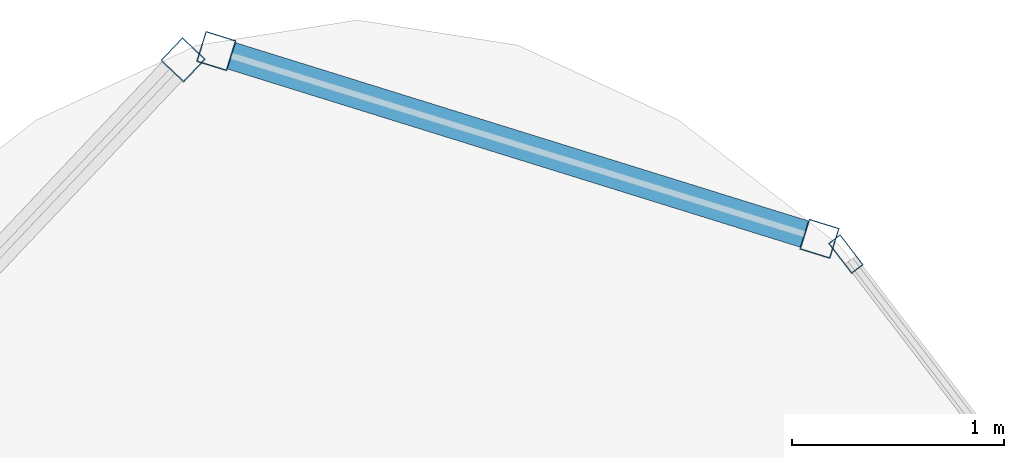
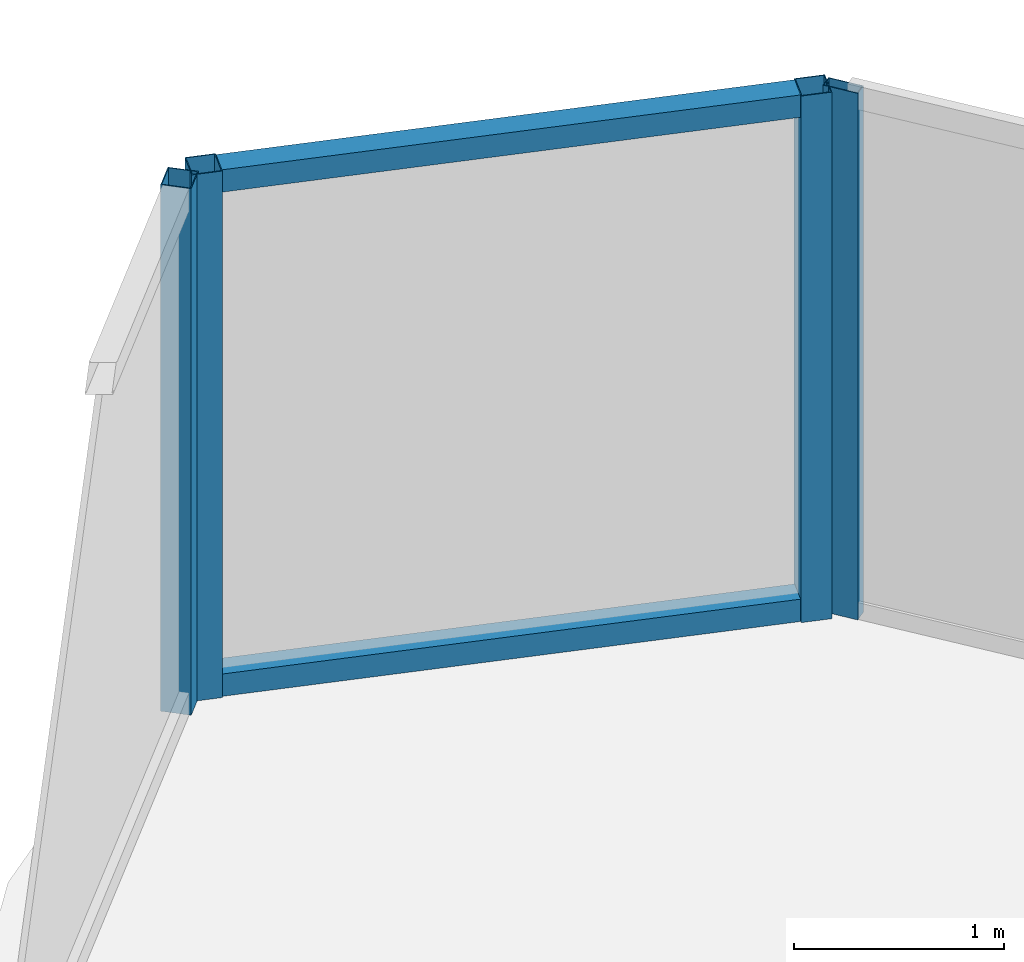
# One storey, part 21 of 31: 6 members, 3 elements without a shape of their own.
"""IFC4 building model written with IfcOpenShell, lengths in metres."""

from ifc_helpers import new_model, si_unit, direction, frame, origin, origin_2d, place, context, subcontext, project, spatial, hollow_rectangle, extrude, material, layer, layer_set, material_profile, profile_set, type_object, element, aggregate, save


model = new_model("IFC4")

# Units and contexts
model_context = context("Model", 3, precision=1e-05, world=origin(), true_north=direction((0.0, 1.0)))
body_context = subcontext(model_context, "Body", "Model", "MODEL_VIEW")
ifc_project = project(units=[si_unit("LENGTHUNIT", "METRE"), si_unit("AREAUNIT", "SQUARE_METRE"), si_unit("VOLUMEUNIT", "CUBIC_METRE"), si_unit("PLANEANGLEUNIT", "RADIAN"), si_unit("MASSUNIT", "GRAM", prefix="KILO")], contexts=[model_context])

# Site, building, storey
site_placement = place(None, origin())
site = spatial("IfcSite", under=ifc_project, at=site_placement, CompositionType="ELEMENT")
building_placement = place(site_placement, origin())
building = spatial("IfcBuilding", under=site, at=building_placement, Name="Orvanel Arch Residences", CompositionType="ELEMENT")
storey_placement = place(building_placement, frame((0.0, 0.0, 106.699951171875)))
storey = spatial("IfcBuildingStorey", under=building, at=storey_placement, Name="L29", CompositionType="ELEMENT", Elevation=106.699951171875)

# Curtain wall, members
ifc_material = material(Name="Bronze-anodised aluminium AA6063-T6", Category="aluminium")
ifc_layer_1 = layer(ifc_material, 0.18994140625)
ifc_layer_set_1 = layer_set([ifc_layer_1], Name="Bronze-anodised aluminium AA6063-T6")
curtain_wall_type_1 = type_object("IfcCurtainWallType", Name="CW5-CRN-SYS", PredefinedType="NOTDEFINED", material=ifc_layer_set_1)
curtain_wall_1_placement = place(storey_placement, origin())
curtain_wall_1 = element("IfcCurtainWall", 1, at=curtain_wall_1_placement, inside=storey, type_object=curtain_wall_type_1, Name="L29 CW5-CRN-SYS Unitised Curtain Wall", PredefinedType="NOTDEFINED")
ifc_material_profile_1 = material_profile(ifc_material, hollow_rectangle(XDim=0.14990234375, YDim=0.14990234375, WallThickness=0.0048828125, at=origin_2d()), Name="ALU150x150x5")
ifc_profile_set_1 = profile_set([ifc_material_profile_1], Name="Bronze-anodised aluminium AA6063-T6")
member_type_1 = type_object("IfcMemberType", Name="MUL-150x150", PredefinedType="MULLION", material=ifc_profile_set_1)
member_1_placement = place(storey_placement, frame((35.17529296875, 48.624267578125, 0.0), z_axis=(0.0, 0.0, 1.0), x_axis=(-0.297053581385, -0.954860811734, 0.0)))
member_1 = element("IfcMember", 2, at=member_1_placement, type_object=member_type_1, Name="CW-S5 mullion 1", PredefinedType="MULLION", context=body_context, shape_type="SweptSolid", body=[
    extrude(hollow_rectangle(XDim=0.14990234375, YDim=0.14990234375, WallThickness=0.0048828125, at=origin_2d()), origin(), (0.0, 0.0, 1.0), 3.06005859375),
])
member_2_placement = place(storey_placement, frame((32.335693359375, 49.5078125, 0.0), z_axis=(0.0, 0.0, 1.0), x_axis=(-0.297053581385, -0.954860811734, 0.0)))
member_2 = element("IfcMember", 3, at=member_2_placement, type_object=member_type_1, Name="CW-S5 mullion 2", PredefinedType="MULLION", context=body_context, shape_type="SweptSolid", body=[
    extrude(hollow_rectangle(XDim=0.14990234375, YDim=0.14990234375, WallThickness=0.0048828125, at=origin_2d()), origin(), (0.0, 0.0, 1.0), 3.06005859375),
])

# Curtain wall, member
curtain_wall_2_placement = place(storey_placement, origin())
curtain_wall_2 = element("IfcCurtainWall", 4, at=curtain_wall_2_placement, inside=storey, type_object=curtain_wall_type_1, Name="L29 CW5-CRN-SYS Unitised Curtain Wall", PredefinedType="NOTDEFINED")
member_3_placement = place(storey_placement, frame((32.179443359375, 49.466552734375, 0.0), z_axis=(0.0, 0.0, 1.0), x_axis=(0.7265167041, -0.687148803873, 0.0)))
member_3 = element("IfcMember", 5, at=member_3_placement, type_object=member_type_1, Name="CW-S5 mullion 1", PredefinedType="MULLION", context=body_context, shape_type="SweptSolid", body=[
    extrude(hollow_rectangle(XDim=0.14990234375, YDim=0.14990234375, WallThickness=0.0048828125, at=origin_2d()), origin(), (0.0, 0.0, 1.0), 3.06005859375),
])
aggregate(curtain_wall_2, [member_3])

ifc_layer_2 = layer(ifc_material, 0.179931640625)
ifc_layer_set_2 = layer_set([ifc_layer_2], Name="Bronze-anodised aluminium AA6063-T6")
curtain_wall_type_2 = type_object("IfcCurtainWallType", Name="CW3-MID-SYS", PredefinedType="NOTDEFINED", material=ifc_layer_set_2)
curtain_wall_3_placement = place(storey_placement, origin())
curtain_wall_3 = element("IfcCurtainWall", 6, at=curtain_wall_3_placement, inside=storey, type_object=curtain_wall_type_2, Name="L29 CW3-MID-SYS Unitised Curtain Wall", PredefinedType="NOTDEFINED")
ifc_material_profile_2 = material_profile(ifc_material, hollow_rectangle(XDim=0.070068359375, YDim=0.179931640625, WallThickness=0.00439453125, at=origin_2d()), Name="ALU180x70x4.5")
ifc_profile_set_2 = profile_set([ifc_material_profile_2], Name="Bronze-anodised aluminium AA6063-T6")
member_type_2 = type_object("IfcMemberType", Name="MUL-180x70", PredefinedType="MULLION", material=ifc_profile_set_2)
member_4_placement = place(storey_placement, frame((35.29931640625, 48.55224609375, 0.0), z_axis=(0.0, 0.0, 1.0), x_axis=(-0.794009853454, -0.607904887805, 0.0)))
member_4 = element("IfcMember", 7, at=member_4_placement, type_object=member_type_2, Name="CW-S3 mullion 4", PredefinedType="MULLION", context=body_context, shape_type="SweptSolid", body=[
    extrude(hollow_rectangle(XDim=0.070068359375, YDim=0.179931640625, WallThickness=0.00439453125, at=origin_2d()), origin(), (0.0, 0.0, 1.0), 3.06005859375),
])
aggregate(curtain_wall_3, [member_4])

# Member
ifc_material_profile_3 = material_profile(ifc_material, hollow_rectangle(XDim=0.1298828125, YDim=0.1298828125, WallThickness=0.00439453125, at=origin_2d()), Name="ALU130x130x4.5")
ifc_profile_set_3 = profile_set([ifc_material_profile_3], Name="Bronze-anodised aluminium AA6063-T6")
member_type_3 = type_object("IfcMemberType", Name="TRN-130x130", PredefinedType="USERDEFINED", material=ifc_profile_set_3)
member_5_placement = place(storey_placement, frame((35.103759765625, 48.646484375, 0.06494140625), z_axis=(-0.954862225643, 0.297049036424, 0.0), x_axis=(-0.297049036424, -0.954862225643, 0.0)))
member_5 = element("IfcMember", 8, at=member_5_placement, type_object=member_type_3, Name="CW-S5 transom 1.1", ObjectType="TRANSOM", PredefinedType="USERDEFINED", context=body_context, shape_type="SweptSolid", body=[
    extrude(hollow_rectangle(XDim=0.1298828125, YDim=0.1298828125, WallThickness=0.00439453125, at=origin_2d()), origin(), (0.0, 0.0, 1.0), 2.823974609375),
])

member_6_placement = place(storey_placement, frame((35.103759765625, 48.646484375, 2.9951171875), z_axis=(-0.954862225643, 0.297049036424, 0.0), x_axis=(-0.297049036424, -0.954862225643, 0.0)))
member_6 = element("IfcMember", 9, at=member_6_placement, type_object=member_type_3, Name="CW-S5 transom 1.2", ObjectType="TRANSOM", PredefinedType="USERDEFINED", context=body_context, shape_type="SweptSolid", body=[
    extrude(hollow_rectangle(XDim=0.1298828125, YDim=0.1298828125, WallThickness=0.00439453125, at=origin_2d()), origin(), (0.0, 0.0, 1.0), 2.823974609375),
])

aggregate(curtain_wall_1, [member_1, member_2, member_5, member_6])

save(model, "model.ifc")
